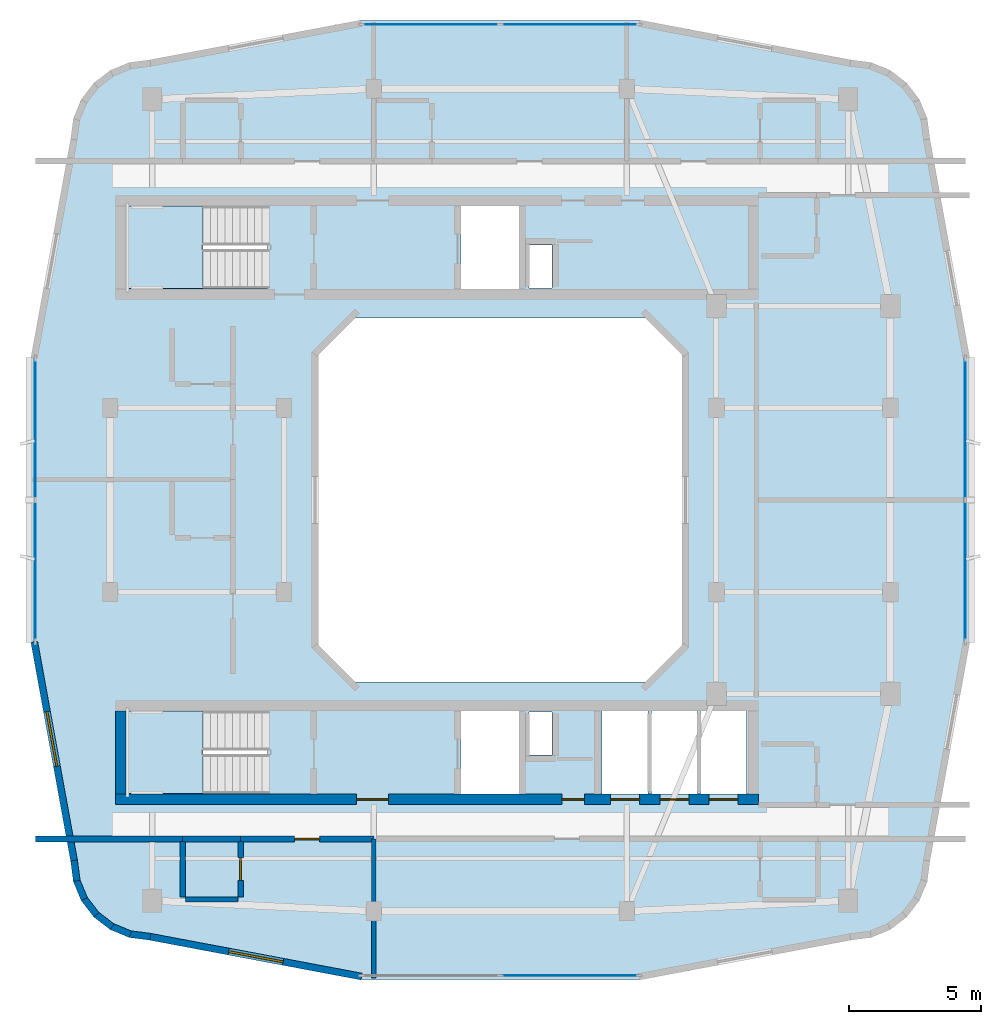
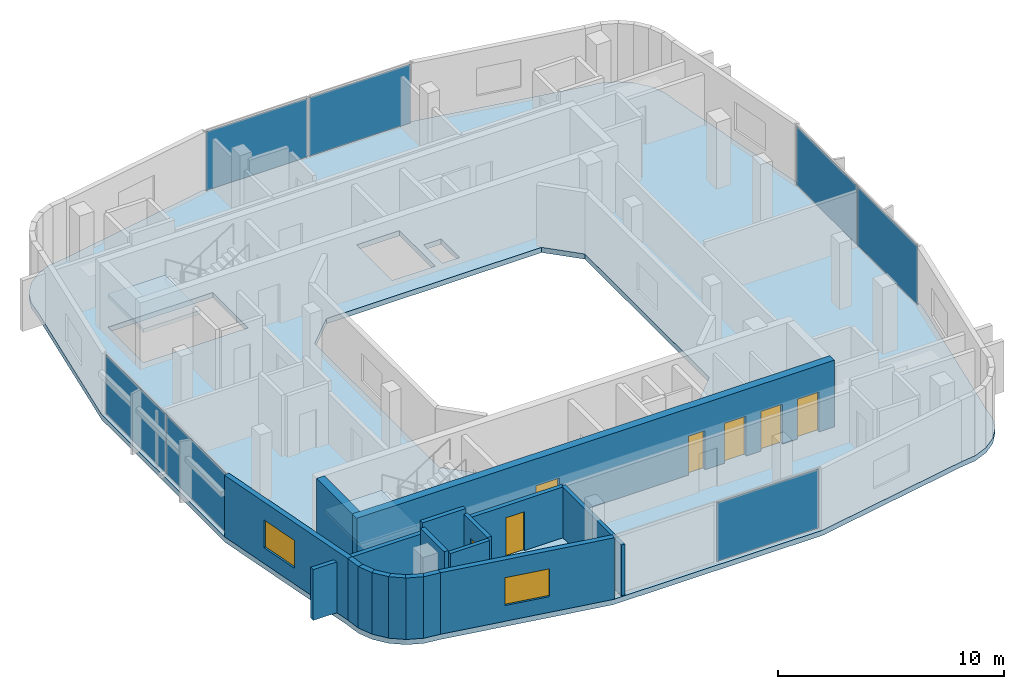
# One storey, part 4 of 10: 17 walls, 7 doors, 7 plates, 3 slabs, 2 windows, 9 openings, 6 elements without a shape of their own.
"""IFC4 building model written with IfcOpenShell, lengths in metres."""

from ifc_helpers import new_model, si_unit, derived_unit, direction, frame, frame_2d, origin, origin_2d, place, context, subcontext, project, spatial, polyline, rectangle, outline, extrude, material, layer, layer_set, type_object, element, fill, aggregate, save


model = new_model("IFC4")

# Units and contexts
model_context = context("Model", 3, precision=1e-05, world=origin(), true_north=direction((0.0, 1.0)))
body_context = subcontext(model_context, "Body", "Model", "MODEL_VIEW")
ifc_project = project(units=[si_unit("LENGTHUNIT", "METRE"), si_unit("AREAUNIT", "SQUARE_METRE"), si_unit("VOLUMEUNIT", "CUBIC_METRE"), si_unit("PLANEANGLEUNIT", "RADIAN"), si_unit("MASSUNIT", "GRAM", prefix="KILO"), derived_unit("THERMALTRANSMITTANCEUNIT", [(si_unit("POWERUNIT", "WATT"), 1), (si_unit("LENGTHUNIT", "METRE"), -2), (si_unit("THERMODYNAMICTEMPERATUREUNIT", "KELVIN"), -1)])], contexts=[model_context])

# Site, building, storey
site_placement = place(None, origin())
site = spatial("IfcSite", under=ifc_project, at=site_placement, CompositionType="ELEMENT")
building_placement = place(site_placement, origin())
building = spatial("IfcBuilding", under=site, at=building_placement, Name="Kivonza Crest Hotel", CompositionType="ELEMENT")
storey_placement = place(building_placement, frame((0.0, 0.0, 250.39990234375)))
storey = spatial("IfcBuildingStorey", under=building, at=storey_placement, Name="L68", CompositionType="ELEMENT", Elevation=250.39990234375)

# Curtain wall, plate
ifc_material_1 = material(Name="Anodised bronze aluminium and low-E double glazing", Category="aluminium")
ifc_layer_1 = layer(ifc_material_1, 0.179931640625)
ifc_layer_set_1 = layer_set([ifc_layer_1], Name="Anodised bronze aluminium and low-E double glazing")
curtain_wall_type = type_object("IfcCurtainWallType", Name="CW-SYS-3", PredefinedType="NOTDEFINED", material=ifc_layer_set_1)
curtain_wall_1_placement = place(storey_placement, origin())
curtain_wall_1 = element("IfcCurtainWall", 1, at=curtain_wall_1_placement, inside=storey, type_object=curtain_wall_type, Name="L68 unitised curtain wall CW-T1-L68-08", PredefinedType="NOTDEFINED")
ifc_material_2 = material(Name="Acoustic triple-laminated low-E glazing", Category="glass")
ifc_layer_2 = layer(ifc_material_2, 0.035888671875)
ifc_layer_set_2 = layer_set([ifc_layer_2], Name="Acoustic triple-laminated low-E glazing")
plate_type = type_object("IfcPlateType", Name="CW-PNL-36", PredefinedType="CURTAIN_PANEL", material=ifc_layer_set_2)
plate_1_placement = place(storey_placement, frame((23.63134765625, 6.9599609375, 0.0751953125), z_axis=(0.0, 0.0, 1.0), x_axis=(1.0, 0.0, 0.0)))
plate_1 = element("IfcPlate", 2, at=plate_1_placement, type_object=plate_type, Name="CW-3 panel 2.1", PredefinedType="CURTAIN_PANEL", context=body_context, shape_type="SweptSolid", body=[
    extrude(rectangle(XDim=5.1875, YDim=0.035888671875, at=origin_2d()), origin(), (0.0, 0.0, 1.0), 3.169921875),
])
aggregate(curtain_wall_1, [plate_1])

# Curtain wall, plates
curtain_wall_2_placement = place(storey_placement, origin())
curtain_wall_2 = element("IfcCurtainWall", 3, at=curtain_wall_2_placement, inside=storey, type_object=curtain_wall_type, Name="L68 unitised curtain wall CW-T1-L68-17", PredefinedType="NOTDEFINED")
plate_2_placement = place(storey_placement, frame((38.639892578125, 22.308837890625, 0.0751953125), z_axis=(0.0, 0.0, 1.0), x_axis=(0.0, 1.0, 0.0)))
plate_2 = element("IfcPlate", 4, at=plate_2_placement, type_object=plate_type, Name="CW-3 panel 1.1", PredefinedType="CURTAIN_PANEL", context=body_context, shape_type="SweptSolid", body=[
    extrude(rectangle(XDim=5.3076171875, YDim=0.035888671875, at=origin_2d()), origin(), (0.0, 0.0, 1.0), 3.169921875),
])
plate_3_placement = place(storey_placement, frame((38.639892578125, 27.691162109375, 0.0751953125), z_axis=(0.0, 0.0, 1.0), x_axis=(0.0, 1.0, 0.0)))
plate_3 = element("IfcPlate", 5, at=plate_3_placement, type_object=plate_type, Name="CW-3 panel 2.1", PredefinedType="CURTAIN_PANEL", context=body_context, shape_type="SweptSolid", body=[
    extrude(rectangle(XDim=5.3076171875, YDim=0.035888671875, at=origin_2d()), origin(), (0.0, 0.0, 1.0), 3.169921875),
])
aggregate(curtain_wall_2, [plate_2, plate_3])

curtain_wall_3_placement = place(storey_placement, origin())
curtain_wall_3 = element("IfcCurtainWall", 6, at=curtain_wall_3_placement, inside=storey, type_object=curtain_wall_type, Name="L68 unitised curtain wall CW-T1-L68-26", PredefinedType="NOTDEFINED")
plate_4_placement = place(storey_placement, frame((23.63134765625, 43.0400390625, 0.0751953125), z_axis=(0.0, 0.0, 1.0), x_axis=(-1.0, 0.0, 0.0)))
plate_4 = element("IfcPlate", 7, at=plate_4_placement, type_object=plate_type, Name="CW-3 panel 1.1", PredefinedType="CURTAIN_PANEL", context=body_context, shape_type="SweptSolid", body=[
    extrude(rectangle(XDim=5.1875, YDim=0.035888671875, at=origin_2d()), origin(), (0.0, 0.0, 1.0), 3.169921875),
])
plate_5_placement = place(storey_placement, frame((18.36865234375, 43.0400390625, 0.0751953125), z_axis=(0.0, 0.0, 1.0), x_axis=(-1.0, 0.0, 0.0)))
plate_5 = element("IfcPlate", 8, at=plate_5_placement, type_object=plate_type, Name="CW-3 panel 2.1", PredefinedType="CURTAIN_PANEL", context=body_context, shape_type="SweptSolid", body=[
    extrude(rectangle(XDim=5.1875, YDim=0.035888671875, at=origin_2d()), origin(), (0.0, 0.0, 1.0), 3.169921875),
])
aggregate(curtain_wall_3, [plate_4, plate_5])

curtain_wall_4_placement = place(storey_placement, origin())
curtain_wall_4 = element("IfcCurtainWall", 9, at=curtain_wall_4_placement, inside=storey, type_object=curtain_wall_type, Name="L68 unitised curtain wall CW-T1-L68-35", PredefinedType="NOTDEFINED")
plate_6_placement = place(storey_placement, frame((3.360107421875, 27.691162109375, 0.0751953125), z_axis=(0.0, 0.0, 1.0), x_axis=(0.0, -1.0, 0.0)))
plate_6 = element("IfcPlate", 10, at=plate_6_placement, type_object=plate_type, Name="CW-3 panel 1.1", PredefinedType="CURTAIN_PANEL", context=body_context, shape_type="SweptSolid", body=[
    extrude(rectangle(XDim=5.3076171875, YDim=0.035888671875, at=origin_2d()), origin(), (0.0, 0.0, 1.0), 3.169921875),
])
plate_7_placement = place(storey_placement, frame((3.360107421875, 22.308837890625, 0.0751953125), z_axis=(0.0, 0.0, 1.0), x_axis=(0.0, -1.0, 0.0)))
plate_7 = element("IfcPlate", 11, at=plate_7_placement, type_object=plate_type, Name="CW-3 panel 2.1", PredefinedType="CURTAIN_PANEL", context=body_context, shape_type="SweptSolid", body=[
    extrude(rectangle(XDim=5.3076171875, YDim=0.035888671875, at=origin_2d()), origin(), (0.0, 0.0, 1.0), 3.169921875),
])
aggregate(curtain_wall_4, [plate_6, plate_7])

# Slab
ifc_material_3 = material(Name="Concrete C40/50", Category="concrete")
ifc_layer_3 = layer(ifc_material_3, 0.280029296875)
ifc_layer_set_3 = layer_set([ifc_layer_3], Name="Concrete C40/50")
slab_type_1 = type_object("IfcSlabType", Name="SL-HTL-280", PredefinedType="FLOOR", material=ifc_layer_set_3)
slab_1_placement = place(storey_placement, frame((0.0, 0.0, -0.27978515625)))
element("IfcSlab", 12, at=slab_1_placement, inside=storey, type_object=slab_type_1, Name="Tower T1 L68 floor slab", PredefinedType="FLOOR", context=body_context, shape_type="SweptSolid", body=[
    extrude(outline(polyline([(4.699951171875, 11.300048828125), (4.802001953125, 10.52392578125), (5.10205078125, 9.800048828125), (5.5791015625, 9.178955078125), (6.199951171875, 8.701904296875), (6.924072265625, 8.402099609375), (7.699951171875, 8.300048828125), (15.659912109375, 6.800048828125), (26.340087890625, 6.800048828125), (34.300048828125, 8.300048828125), (35.075927734375, 8.402099609375), (35.800048828125, 8.701904296875), (36.4208984375, 9.178955078125), (36.89794921875, 9.800048828125), (37.197998046875, 10.52392578125), (37.300048828125, 11.300048828125), (38.800048828125, 19.5400390625), (38.800048828125, 30.4599609375), (37.300048828125, 38.699951171875), (37.197998046875, 39.47607421875), (36.89794921875, 40.199951171875), (36.4208984375, 40.821044921875), (35.800048828125, 41.298095703125), (35.075927734375, 41.597900390625), (34.300048828125, 41.699951171875), (26.340087890625, 43.199951171875), (15.659912109375, 43.199951171875), (7.699951171875, 41.699951171875), (6.924072265625, 41.597900390625), (6.199951171875, 41.298095703125), (5.5791015625, 40.821044921875), (5.10205078125, 40.199951171875), (4.802001953125, 39.47607421875), (4.699951171875, 38.699951171875), (3.199951171875, 30.4599609375), (3.199951171875, 19.5400390625), (4.699951171875, 11.300048828125)]), holes=[polyline([(15.5, 18.10009765625), (26.5, 18.10009765625), (27.89990234375, 19.5), (27.89990234375, 30.5), (26.5, 31.89990234375), (15.5, 31.89990234375), (14.10009765625, 30.5), (14.10009765625, 19.5), (15.5, 18.10009765625)]), polyline([(6.800048828125, 33.02001953125), (12.159912109375, 33.02001953125), (12.159912109375, 36.159912109375), (6.800048828125, 36.159912109375), (6.800048828125, 33.02001953125)]), polyline([(6.800048828125, 13.860107421875), (12.159912109375, 13.860107421875), (12.159912109375, 17.0), (6.800048828125, 17.0), (6.800048828125, 13.860107421875)]), polyline([(22.080078125, 33.0400390625), (22.969970703125, 33.0400390625), (22.969970703125, 34.679931640625), (22.080078125, 34.679931640625), (22.080078125, 33.0400390625)]), polyline([(22.080078125, 15.320068359375), (22.969970703125, 15.320068359375), (22.969970703125, 16.9599609375), (22.080078125, 16.9599609375), (22.080078125, 15.320068359375)]), polyline([(19.5, 33.0), (21.699951171875, 33.0), (21.699951171875, 36.159912109375), (19.5, 36.159912109375), (19.5, 33.0)]), polyline([(19.5, 13.840087890625), (21.699951171875, 13.840087890625), (21.699951171875, 17.0), (19.5, 17.0), (19.5, 13.840087890625)]), polyline([(24.860107421875, 13.840087890625), (26.60693359375, 13.840087890625), (26.60693359375, 17.0), (24.860107421875, 17.0), (24.860107421875, 13.840087890625)]), polyline([(26.72705078125, 13.840087890625), (28.472900390625, 13.840087890625), (28.472900390625, 17.0), (26.72705078125, 17.0), (26.72705078125, 13.840087890625)]), polyline([(28.593017578125, 13.840087890625), (30.340087890625, 13.840087890625), (30.340087890625, 17.0), (28.593017578125, 17.0), (28.593017578125, 13.840087890625)])]), origin(), (0.0, 0.0, 1.0), 0.27978515625),
])

# Stair, slab
stair_type = type_object("IfcStairType", Name="ST-DL-20R", PredefinedType="HALF_TURN_STAIR", material=ifc_material_3)
stair_1_placement = place(storey_placement, origin())
stair_1 = element("IfcStair", 13, at=stair_1_placement, inside=storey, type_object=stair_type, Name="L68 Protected Exit Stair ST-T1-N", PredefinedType="HALF_TURN_STAIR")
ifc_layer_4 = layer(ifc_material_3, 0.199951171875)
ifc_layer_set_4 = layer_set([ifc_layer_4], Name="Concrete C40/50")
slab_type_2 = type_object("IfcSlabType", Name="SL-LAND-200", PredefinedType="LANDING", material=ifc_layer_set_4)
slab_2_placement = place(storey_placement, frame((0.0, 0.0, 1.60009765625)))
slab_2 = element("IfcSlab", 14, at=slab_2_placement, type_object=slab_type_2, Name="ST-T1-N landing 1", PredefinedType="LANDING", context=body_context, shape_type="SweptSolid", body=[
    extrude(outline(polyline([(9.719970703125, 36.159912109375), (6.800048828125, 36.159912109375), (6.800048828125, 33.02001953125), (9.719970703125, 33.02001953125), (9.719970703125, 36.159912109375)])), origin(), (0.0, 0.0, 1.0), 0.199951171875),
])
aggregate(stair_1, [slab_2])

stair_2_placement = place(storey_placement, origin())
stair_2 = element("IfcStair", 15, at=stair_2_placement, inside=storey, type_object=stair_type, Name="L68 Protected Exit Stair ST-T1-S", PredefinedType="HALF_TURN_STAIR")
slab_3_placement = place(storey_placement, frame((0.0, 0.0, 1.60009765625)))
slab_3 = element("IfcSlab", 16, at=slab_3_placement, type_object=slab_type_2, Name="ST-T1-S landing 1", PredefinedType="LANDING", context=body_context, shape_type="SweptSolid", body=[
    extrude(outline(polyline([(9.719970703125, 17.0), (6.800048828125, 17.0), (6.800048828125, 13.860107421875), (9.719970703125, 13.860107421875), (9.719970703125, 17.0)])), origin(), (0.0, 0.0, 1.0), 0.199951171875),
])
aggregate(stair_2, [slab_3])

# Walls
ifc_material_4 = material(Name="High-density acoustic masonry inter-tenancy wall", Category="masonry")
ifc_layer_5 = layer(ifc_material_4, 0.179931640625)
ifc_layer_set_5 = layer_set([ifc_layer_5], Name="High-density acoustic masonry inter-tenancy wall")
wall_type_1 = type_object("IfcWallType", Name="WL-ACOU-180", PredefinedType="SOLIDWALL", material=ifc_layer_set_5)
wall_1_placement = place(storey_placement, frame((16.199951171875, 6.860107421875, 0.0), z_axis=(0.0, 0.0, 1.0), x_axis=(0.0, 1.0, 0.0)))
element("IfcWall", 17, at=wall_1_placement, inside=storey, type_object=wall_type_1, Name="L68 interior partition WA-L68-T1S-DIV1", PredefinedType="SOLIDWALL", context=body_context, shape_type="SweptSolid", body=[
    extrude(rectangle(XDim=5.27978515625, YDim=0.179931640625, at=frame_2d((2.639892578125, 0.0))), origin(), (0.0, 0.0, 1.0), 2.7451171875),
])
ifc_material_5 = material(Name="Autoclaved aerated concrete blockwork", Category="masonry")
ifc_layer_6 = layer(ifc_material_5, 0.219970703125)
ifc_layer_set_6 = layer_set([ifc_layer_6], Name="Autoclaved aerated concrete blockwork")
wall_type_2 = type_object("IfcWallType", Name="WL-ACOU-220", PredefinedType="SOLIDWALL", material=ifc_layer_set_6)
wall_2_placement = place(storey_placement, frame((3.360107421875, 12.139892578125, 0.0), z_axis=(0.0, 0.0, 1.0), x_axis=(1.0, 0.0, 0.0)))
element("IfcWall", 18, at=wall_2_placement, inside=storey, type_object=wall_type_2, Name="L68 interior partition WA-L68-S04-XCORR", PredefinedType="SOLIDWALL", context=body_context, shape_type="SweptSolid", body=[
    extrude(rectangle(XDim=5.58984375, YDim=0.219970703125, at=frame_2d((2.794921875, 0.0))), origin(), (0.0, 0.0, 1.0), 2.7451171875),
])
wall_3_placement = place(storey_placement, frame((8.949951171875, 12.139892578125, 0.0), z_axis=(0.0, 0.0, 1.0), x_axis=(1.0, 0.0, 0.0)))
element("IfcWall", 19, at=wall_3_placement, inside=storey, type_object=wall_type_2, Name="L68 interior partition WA-L68-S04-BCORR", PredefinedType="SOLIDWALL", context=body_context, shape_type="SweptSolid", body=[
    extrude(rectangle(XDim=2.199951171875, YDim=0.219970703125, at=frame_2d((1.10009765625, 0.0))), origin(), (0.0, 0.0, 1.0), 3.320068359375),
])

# Wall, opening, door
wall_4_placement = place(storey_placement, frame((11.14990234375, 12.139892578125, 0.0), z_axis=(0.0, 0.0, 1.0), x_axis=(1.0, 0.0, 0.0)))
wall_4 = element("IfcWall", 20, at=wall_4_placement, inside=storey, type_object=wall_type_2, Name="L68 interior partition WA-L68-S04-MCORR", PredefinedType="SOLIDWALL", context=body_context, shape_type="SweptSolid", body=[
    extrude(rectangle(XDim=5.050048828125, YDim=0.219970703125, at=frame_2d((2.52490234375, 0.0))), origin(), (0.0, 0.0, 1.0), 2.7451171875),
])
opening_1_placement = place(wall_4_placement, frame((2.050048828125, 0.0, 0.0)))
opening_1 = element("IfcOpeningElement", 21, at=opening_1_placement, cuts=wall_4, Name="Opening DU-60", PredefinedType="OPENING", context=body_context, shape_type="SweptSolid", body=[
    extrude(rectangle(XDim=0.949951171875, YDim=2.10009765625, at=frame_2d((0.47509765625, 1.050048828125))), frame((0.0, 0.1201171875, 0.0), z_axis=(0.0, -1.0, 0.0), x_axis=(1.0, 0.0, 0.0)), (0.0, 0.0, 1.0), 0.239990234375),
])
ifc_material_6 = material(Name="Hardwood timber oak", Category="wood")
door_type_1 = type_object("IfcDoorType", Name="DR-UNIT-950", OperationType="NOTDEFINED", PredefinedType="DOOR", material=ifc_material_6)
door_1_placement = place(opening_1_placement, frame((0.949951171875, 0.0, 0.0), z_axis=(0.0, 0.0, 1.0), x_axis=(-1.0, 0.0, 0.0)))
door_1 = element("IfcDoor", 22, at=door_1_placement, inside=storey, type_object=door_type_1, Name="L68 S04 guest unit entrance fire door", OperationType="SINGLE_SWING_RIGHT", OverallHeight=2.10009765625, OverallWidth=0.949951171875, PredefinedType="DOOR", context=body_context, shape_type="SweptSolid", body=[
    extrude(rectangle(XDim=0.949951171875, YDim=2.10009765625, at=frame_2d((0.47509765625, 1.050048828125))), frame((0.0, 0.02490234375, 0.0), z_axis=(0.0, -1.0, 0.0), x_axis=(1.0, 0.0, 0.0)), (0.0, 0.0, 1.0), 0.050048828125),
])
fill(opening_1, door_1)

# Wall, openings, doors
ifc_material_7 = material(Name="Concrete C50/60", Category="concrete")
ifc_layer_7 = layer(ifc_material_7, 0.39990234375)
ifc_layer_set_7 = layer_set([ifc_layer_7], Name="Concrete C50/60")
wall_type_3 = type_object("IfcWallType", Name="WL-CORE-400", PredefinedType="SHEAR", material=ifc_layer_set_7)
wall_5_placement = place(storey_placement, frame((6.39990234375, 13.639892578125, 0.0), z_axis=(0.0, 0.0, 1.0), x_axis=(1.0, 0.0, 0.0)))
wall_5 = element("IfcWall", 23, at=wall_5_placement, inside=storey, type_object=wall_type_3, Name="Core wall T1-S South L68", PredefinedType="SHEAR", context=body_context, shape_type="SweptSolid", body=[
    extrude(rectangle(XDim=24.400146484375, YDim=0.39990234375, at=frame_2d((12.2001953125, 0.0))), origin(), (0.0, 0.0, 1.0), 3.60009765625),
])
opening_2_placement = place(wall_5_placement, frame((9.14990234375, 0.0, 0.0)))
opening_2 = element("IfcOpeningElement", 24, at=opening_2_placement, cuts=wall_5, Name="Opening DF-60", PredefinedType="OPENING", context=body_context, shape_type="SweptSolid", body=[
    extrude(rectangle(XDim=1.199951171875, YDim=2.14990234375, at=frame_2d((0.60009765625, 1.074951171875))), frame((0.0, 0.2099609375, 0.0), z_axis=(0.0, -1.0, 0.0), x_axis=(1.0, 0.0, 0.0)), (0.0, 0.0, 1.0), 0.419921875),
])
opening_3_placement = place(wall_5_placement, frame((16.93994140625, 0.0, 0.0)))
opening_3 = element("IfcOpeningElement", 25, at=opening_3_placement, cuts=wall_5, Name="Opening DF-60R", PredefinedType="OPENING", context=body_context, shape_type="SweptSolid", body=[
    extrude(rectangle(XDim=0.85009765625, YDim=2.10009765625, at=frame_2d((0.425048828125, 1.050048828125))), frame((0.0, 0.2099609375, 0.0), z_axis=(0.0, -1.0, 0.0), x_axis=(1.0, 0.0, 0.0)), (0.0, 0.0, 1.0), 0.419921875),
])
opening_4_placement = place(wall_5_placement, frame((18.782958984375, 0.0, 0.0)))
opening_4 = element("IfcOpeningElement", 26, at=opening_4_placement, cuts=wall_5, Name="Opening LD-120", PredefinedType="OPENING", context=body_context, shape_type="SweptSolid", body=[
    extrude(rectangle(XDim=1.10009765625, YDim=2.14990234375, at=frame_2d((0.550048828125, 1.074951171875))), frame((0.0, 0.2099609375, 0.0), z_axis=(0.0, -1.0, 0.0), x_axis=(1.0, 0.0, 0.0)), (0.0, 0.0, 1.0), 0.419921875),
])
opening_5_placement = place(wall_5_placement, frame((20.64990234375, 0.0, 0.0)))
opening_5 = element("IfcOpeningElement", 27, at=opening_5_placement, cuts=wall_5, Name="Opening LD-120", PredefinedType="OPENING", context=body_context, shape_type="SweptSolid", body=[
    extrude(rectangle(XDim=1.10009765625, YDim=2.14990234375, at=frame_2d((0.550048828125, 1.074951171875))), frame((0.0, 0.2099609375, 0.0), z_axis=(0.0, -1.0, 0.0), x_axis=(1.0, 0.0, 0.0)), (0.0, 0.0, 1.0), 0.419921875),
])
opening_6_placement = place(wall_5_placement, frame((22.51708984375, 0.0, 0.0)))
opening_6 = element("IfcOpeningElement", 28, at=opening_6_placement, cuts=wall_5, Name="Opening LD-120", PredefinedType="OPENING", context=body_context, shape_type="SweptSolid", body=[
    extrude(rectangle(XDim=1.10009765625, YDim=2.14990234375, at=frame_2d((0.550048828125, 1.074951171875))), frame((0.0, 0.2099609375, 0.0), z_axis=(0.0, -1.0, 0.0), x_axis=(1.0, 0.0, 0.0)), (0.0, 0.0, 1.0), 0.419921875),
])
door_type_2 = type_object("IfcDoorType", Name="DR-FD60-1200", OperationType="NOTDEFINED", PredefinedType="DOOR", material=ifc_material_6)
door_2_placement = place(opening_2_placement, frame((1.199951171875, 0.0, 0.0), z_axis=(0.0, 0.0, 1.0), x_axis=(-1.0, 0.0, 0.0)))
door_2 = element("IfcDoor", 29, at=door_2_placement, inside=storey, type_object=door_type_2, Name="L68 T1-S firefighting lobby fire door", OperationType="SINGLE_SWING_LEFT", OverallHeight=2.14990234375, OverallWidth=1.199951171875, PredefinedType="DOOR", context=body_context, shape_type="SweptSolid", body=[
    extrude(rectangle(XDim=1.199951171875, YDim=2.14990234375, at=frame_2d((0.60009765625, 1.074951171875))), frame((0.0, 0.02490234375, 0.0), z_axis=(0.0, -1.0, 0.0), x_axis=(1.0, 0.0, 0.0)), (0.0, 0.0, 1.0), 0.050048828125),
])
fill(opening_2, door_2)
door_type_3 = type_object("IfcDoorType", Name="DR-FD60-850", OperationType="NOTDEFINED", PredefinedType="DOOR", material=ifc_material_6)
door_3_placement = place(opening_3_placement, frame((0.85009765625, 0.0, 0.0), z_axis=(0.0, 0.0, 1.0), x_axis=(-1.0, 0.0, 0.0)))
door_3 = element("IfcDoor", 30, at=door_3_placement, inside=storey, type_object=door_type_3, Name="L68 T1-S core room door", OperationType="SINGLE_SWING_RIGHT", OverallHeight=2.10009765625, OverallWidth=0.85009765625, PredefinedType="DOOR", context=body_context, shape_type="SweptSolid", body=[
    extrude(rectangle(XDim=0.85009765625, YDim=2.10009765625, at=frame_2d((0.425048828125, 1.050048828125))), frame((0.0, 0.02490234375, 0.0), z_axis=(0.0, -1.0, 0.0), x_axis=(1.0, 0.0, 0.0)), (0.0, 0.0, 1.0), 0.050048828125),
])
fill(opening_3, door_3)
ifc_material_8 = material(Name="Stainless steel", Category="steel")
door_type_4 = type_object("IfcDoorType", Name="DR-LD120-1100", OperationType="NOTDEFINED", PredefinedType="DOOR", material=ifc_material_8)
door_4_placement = place(opening_4_placement, frame((1.10009765625, 0.0, 0.0), z_axis=(0.0, 0.0, 1.0), x_axis=(-1.0, 0.0, 0.0)))
door_4 = element("IfcDoor", 31, at=door_4_placement, inside=storey, type_object=door_type_4, Name="L68 PL-T1-H1 passenger lift sliding landing door", OperationType="DOUBLE_DOOR_SLIDING", OverallHeight=2.14990234375, OverallWidth=1.10009765625, PredefinedType="DOOR", context=body_context, shape_type="SweptSolid", body=[
    extrude(rectangle(XDim=1.10009765625, YDim=2.14990234375, at=frame_2d((0.550048828125, 1.074951171875))), frame((0.0, 0.02490234375, 0.0), z_axis=(0.0, -1.0, 0.0), x_axis=(1.0, 0.0, 0.0)), (0.0, 0.0, 1.0), 0.050048828125),
])
fill(opening_4, door_4)
door_5_placement = place(opening_5_placement, frame((1.10009765625, 0.0, 0.0), z_axis=(0.0, 0.0, 1.0), x_axis=(-1.0, 0.0, 0.0)))
door_5 = element("IfcDoor", 32, at=door_5_placement, inside=storey, type_object=door_type_4, Name="L68 PL-T1-H2 passenger lift sliding landing door", OperationType="DOUBLE_DOOR_SLIDING", OverallHeight=2.14990234375, OverallWidth=1.10009765625, PredefinedType="DOOR", context=body_context, shape_type="SweptSolid", body=[
    extrude(rectangle(XDim=1.10009765625, YDim=2.14990234375, at=frame_2d((0.550048828125, 1.074951171875))), frame((0.0, 0.02490234375, 0.0), z_axis=(0.0, -1.0, 0.0), x_axis=(1.0, 0.0, 0.0)), (0.0, 0.0, 1.0), 0.050048828125),
])
fill(opening_5, door_5)
door_6_placement = place(opening_6_placement, frame((1.10009765625, 0.0, 0.0), z_axis=(0.0, 0.0, 1.0), x_axis=(-1.0, 0.0, 0.0)))
door_6 = element("IfcDoor", 33, at=door_6_placement, inside=storey, type_object=door_type_4, Name="L68 PL-T1-H3 passenger lift sliding landing door", OperationType="DOUBLE_DOOR_SLIDING", OverallHeight=2.14990234375, OverallWidth=1.10009765625, PredefinedType="DOOR", context=body_context, shape_type="SweptSolid", body=[
    extrude(rectangle(XDim=1.10009765625, YDim=2.14990234375, at=frame_2d((0.550048828125, 1.074951171875))), frame((0.0, 0.02490234375, 0.0), z_axis=(0.0, -1.0, 0.0), x_axis=(1.0, 0.0, 0.0)), (0.0, 0.0, 1.0), 0.050048828125),
])
fill(opening_6, door_6)

# Walls
wall_6_placement = place(storey_placement, frame((6.60009765625, 13.840087890625, 0.0), z_axis=(0.0, 0.0, 1.0), x_axis=(0.0, 1.0, 0.0)))
element("IfcWall", 34, at=wall_6_placement, inside=storey, type_object=wall_type_3, Name="Core wall T1-S West L68", PredefinedType="SHEAR", context=body_context, shape_type="SweptSolid", body=[
    extrude(rectangle(XDim=3.159912109375, YDim=0.39990234375, at=frame_2d((1.580078125, 0.0))), origin(), (0.0, 0.0, 1.0), 3.60009765625),
])
ifc_material_9 = material(Name="Precast concrete C40/50", Category="concrete")
ifc_layer_8 = layer(ifc_material_9, 0.260009765625)
ifc_layer_set_8 = layer_set([ifc_layer_8], Name="Precast concrete C40/50")
wall_type_4 = type_object("IfcWallType", Name="WL-EXT-260", PredefinedType="STANDARD", material=ifc_layer_set_8)
wall_7_placement = place(storey_placement, frame((4.827880859375, 11.324951171875, 0.0), z_axis=(0.0, 0.0, 1.0), x_axis=(0.130729574419, -0.991418064377, 0.0)))
element("IfcWall", 35, at=wall_7_placement, inside=storey, type_object=wall_type_4, Name="L68 T1 exterior insulated wall 1", PredefinedType="STANDARD", context=body_context, shape_type="SweptSolid", body=[
    extrude(rectangle(XDim=0.780517578125, YDim=0.260009765625, at=frame_2d((0.39013671875, 0.0))), origin(), (0.0, 0.0, 1.0), 3.320068359375),
])
wall_8_placement = place(storey_placement, frame((4.912109375, 10.596923828125, 0.0), z_axis=(0.0, 0.0, 1.0), x_axis=(0.382900540965, -0.923789573295, 0.0)))
element("IfcWall", 36, at=wall_8_placement, inside=storey, type_object=wall_type_4, Name="L68 T1 exterior insulated wall 2", PredefinedType="STANDARD", context=body_context, shape_type="SweptSolid", body=[
    extrude(rectangle(XDim=0.798828125, YDim=0.260009765625, at=frame_2d((0.3994140625, 0.0))), origin(), (0.0, 0.0, 1.0), 3.320068359375),
])
wall_9_placement = place(storey_placement, frame((5.18994140625, 9.89892578125, 0.0), z_axis=(0.0, 0.0, 1.0), x_axis=(0.60916352983, -0.793044635519, 0.0)))
element("IfcWall", 37, at=wall_9_placement, inside=storey, type_object=wall_type_4, Name="L68 T1 exterior insulated wall 3", PredefinedType="STANDARD", context=body_context, shape_type="SweptSolid", body=[
    extrude(rectangle(XDim=0.7978515625, YDim=0.260009765625, at=frame_2d((0.39892578125, 0.0))), origin(), (0.0, 0.0, 1.0), 3.320068359375),
])
wall_10_placement = place(storey_placement, frame((5.637939453125, 9.297119140625, 0.0), z_axis=(0.0, 0.0, 1.0), x_axis=(0.793158129381, -0.609015748398, 0.0)))
element("IfcWall", 38, at=wall_10_placement, inside=storey, type_object=wall_type_4, Name="L68 T1 exterior insulated wall 4", PredefinedType="STANDARD", context=body_context, shape_type="SweptSolid", body=[
    extrude(rectangle(XDim=0.798095703125, YDim=0.260009765625, at=frame_2d((0.39892578125, 0.0))), origin(), (0.0, 0.0, 1.0), 3.320068359375),
])
wall_11_placement = place(storey_placement, frame((6.22705078125, 8.83203125, 0.0), z_axis=(0.0, 0.0, 1.0), x_axis=(0.923681457047, -0.383161279238, 0.0)))
element("IfcWall", 39, at=wall_11_placement, inside=storey, type_object=wall_type_4, Name="L68 T1 exterior insulated wall 5", PredefinedType="STANDARD", context=body_context, shape_type="SweptSolid", body=[
    extrude(rectangle(XDim=0.799072265625, YDim=0.260009765625, at=frame_2d((0.3994140625, 0.0))), origin(), (0.0, 0.0, 1.0), 3.320068359375),
])
wall_12_placement = place(storey_placement, frame((6.916015625, 8.533935546875, 0.0), z_axis=(0.0, 0.0, 1.0), x_axis=(0.99153354416, -0.129850802102, 0.0)))
element("IfcWall", 40, at=wall_12_placement, inside=storey, type_object=wall_type_4, Name="L68 T1 exterior insulated wall 6", PredefinedType="STANDARD", context=body_context, shape_type="SweptSolid", body=[
    extrude(rectangle(XDim=0.81591796875, YDim=0.260009765625, at=frame_2d((0.407958984375, 0.0))), origin(), (0.0, 0.0, 1.0), 3.320068359375),
])

# Wall, opening, window
wall_13_placement = place(storey_placement, frame((7.716064453125, 8.428955078125, 0.0), z_axis=(0.0, 0.0, 1.0), x_axis=(0.982719489139, -0.185101068789, 0.0)))
wall_13 = element("IfcWall", 41, at=wall_13_placement, inside=storey, type_object=wall_type_4, Name="L68 T1 exterior insulated wall 7", PredefinedType="STANDARD", context=body_context, shape_type="SweptSolid", body=[
    extrude(rectangle(XDim=8.1630859375, YDim=0.260009765625, at=frame_2d((4.08154296875, 0.0))), origin(), (0.0, 0.0, 1.0), 3.320068359375),
])
opening_7_placement = place(wall_13_placement, frame((3.031982421875, 0.0, 0.85009765625)))
opening_7 = element("IfcOpeningElement", 42, at=opening_7_placement, cuts=wall_13, Name="Opening WN-04", PredefinedType="OPENING", context=body_context, shape_type="SweptSolid", body=[
    extrude(rectangle(XDim=2.10009765625, YDim=1.5, at=frame_2d((1.050048828125, 0.75))), frame((0.0, 0.14013671875, 0.0), z_axis=(0.0, -1.0, 0.0), x_axis=(1.0, 0.0, 0.0)), (0.0, 0.0, 1.0), 0.280029296875),
])
ifc_material_10 = material(Name="Thermally broken bronze aluminium and low-E double glazing", Category="aluminium")
window_type = type_object("IfcWindowType", Name="WN-210x150", PartitioningType="DOUBLE_PANEL_VERTICAL", PredefinedType="WINDOW", material=ifc_material_10)
window_1_placement = place(opening_7_placement, origin())
window_1 = element("IfcWindow", 43, at=window_1_placement, inside=storey, type_object=window_type, Name="L68 T1 facade window 7", OverallHeight=1.5, OverallWidth=2.10009765625, PartitioningType="SINGLE_PANEL", PredefinedType="WINDOW", context=body_context, shape_type="SweptSolid", body=[
    extrude(rectangle(XDim=2.10009765625, YDim=1.5, at=frame_2d((1.050048828125, 0.75))), frame((0.0, 0.030029296875, 0.0), z_axis=(0.0, -1.0, 0.0), x_axis=(1.0, 0.0, 0.0)), (0.0, 0.0, 1.0), 0.06005859375),
])
fill(opening_7, window_1)

wall_14_placement = place(storey_placement, frame((3.318115234375, 19.616943359375, 0.0), z_axis=(0.0, 0.0, 1.0), x_axis=(0.179061111398, -0.983837953316, 0.0)))
wall_14 = element("IfcWall", 44, at=wall_14_placement, inside=storey, type_object=wall_type_4, Name="L68 T1 exterior insulated wall 36", PredefinedType="STANDARD", context=body_context, shape_type="SweptSolid", body=[
    extrude(rectangle(XDim=8.4384765625, YDim=0.260009765625, at=frame_2d((4.21923828125, 0.0))), origin(), (0.0, 0.0, 1.0), 3.320068359375),
])
opening_8_placement = place(wall_14_placement, frame((2.69091796875, 0.0, 0.85009765625)))
opening_8 = element("IfcOpeningElement", 45, at=opening_8_placement, cuts=wall_14, Name="Opening WN-04", PredefinedType="OPENING", context=body_context, shape_type="SweptSolid", body=[
    extrude(rectangle(XDim=2.10009765625, YDim=1.5, at=frame_2d((1.050048828125, 0.75))), frame((0.0, 0.14013671875, 0.0), z_axis=(0.0, -1.0, 0.0), x_axis=(1.0, 0.0, 0.0)), (0.0, 0.0, 1.0), 0.280029296875),
])
window_2_placement = place(opening_8_placement, origin())
window_2 = element("IfcWindow", 46, at=window_2_placement, inside=storey, type_object=window_type, Name="L68 T1 facade window 36", OverallHeight=1.5, OverallWidth=2.10009765625, PartitioningType="SINGLE_PANEL", PredefinedType="WINDOW", context=body_context, shape_type="SweptSolid", body=[
    extrude(rectangle(XDim=2.10009765625, YDim=1.5, at=frame_2d((1.050048828125, 0.75))), frame((0.0, 0.030029296875, 0.0), z_axis=(0.0, -1.0, 0.0), x_axis=(1.0, 0.0, 0.0)), (0.0, 0.0, 1.0), 0.06005859375),
])
fill(opening_8, window_2)

# Wall, opening, door
ifc_material_11 = material(Name="Moisture-resistant plumbing chase partition wall", Category="gypsum")
ifc_layer_9 = layer(ifc_material_11, 0.199951171875)
ifc_layer_set_9 = layer_set([ifc_layer_9], Name="Moisture-resistant plumbing chase partition wall")
wall_type_5 = type_object("IfcWallType", Name="WL-PLUMB-200", PredefinedType="PLUMBINGWALL", material=ifc_layer_set_9)
wall_15_placement = place(storey_placement, frame((11.14990234375, 9.93994140625, 0.0), z_axis=(0.0, 0.0, 1.0), x_axis=(0.0, 1.0, 0.0)))
wall_15 = element("IfcWall", 47, at=wall_15_placement, inside=storey, type_object=wall_type_5, Name="L68 interior partition WW-L68-S04-BV", PredefinedType="PLUMBINGWALL", context=body_context, shape_type="SweptSolid", body=[
    extrude(rectangle(XDim=2.10009765625, YDim=0.199951171875, at=frame_2d((1.050048828125, 0.0))), origin(), (0.0, 0.0, 1.0), 3.05517578125),
])
opening_9_placement = place(wall_15_placement, frame((0.625, 0.0, 0.0)))
opening_9 = element("IfcOpeningElement", 48, at=opening_9_placement, cuts=wall_15, Name="Opening DI-85", PredefinedType="OPENING", context=body_context, shape_type="SweptSolid", body=[
    extrude(rectangle(XDim=0.85009765625, YDim=2.10009765625, at=frame_2d((0.425048828125, 1.050048828125))), frame((0.0, 0.10986328125, 0.0), z_axis=(0.0, -1.0, 0.0), x_axis=(1.0, 0.0, 0.0)), (0.0, 0.0, 1.0), 0.219970703125),
])
door_type_5 = type_object("IfcDoorType", Name="DR-INT-850", OperationType="NOTDEFINED", PredefinedType="DOOR", material=ifc_material_6)
door_7_placement = place(opening_9_placement, frame((0.85009765625, 0.0, 0.0), z_axis=(0.0, 0.0, 1.0), x_axis=(-1.0, 0.0, 0.0)))
door_7 = element("IfcDoor", 49, at=door_7_placement, inside=storey, type_object=door_type_5, Name="L68 S04 en-suite bathroom door", OperationType="SINGLE_SWING_LEFT", OverallHeight=2.10009765625, OverallWidth=0.85009765625, PredefinedType="DOOR", context=body_context, shape_type="SweptSolid", body=[
    extrude(rectangle(XDim=0.85009765625, YDim=2.10009765625, at=frame_2d((0.425048828125, 1.050048828125))), frame((0.0, 0.02490234375, 0.0), z_axis=(0.0, -1.0, 0.0), x_axis=(1.0, 0.0, 0.0)), (0.0, 0.0, 1.0), 0.050048828125),
])
fill(opening_9, door_7)

# Walls
wall_16_placement = place(storey_placement, frame((9.050048828125, 9.840087890625, 0.0), z_axis=(0.0, 0.0, 1.0), x_axis=(1.0, 0.0, 0.0)))
element("IfcWall", 50, at=wall_16_placement, inside=storey, type_object=wall_type_5, Name="L68 interior partition WW-L68-S04-BH", PredefinedType="PLUMBINGWALL", context=body_context, shape_type="SweptSolid", body=[
    extrude(rectangle(XDim=2.0, YDim=0.199951171875, at=frame_2d((1.0, 0.0))), origin(), (0.0, 0.0, 1.0), 3.01513671875),
])
wall_17_placement = place(storey_placement, frame((8.949951171875, 9.93994140625, 0.0), z_axis=(0.0, 0.0, 1.0), x_axis=(0.0, 1.0, 0.0)))
element("IfcWall", 51, at=wall_17_placement, inside=storey, type_object=wall_type_5, Name="L68 interior partition WW-L68-S04-BVW", PredefinedType="PLUMBINGWALL", context=body_context, shape_type="SweptSolid", body=[
    extrude(rectangle(XDim=2.10009765625, YDim=0.199951171875, at=frame_2d((1.050048828125, 0.0))), origin(), (0.0, 0.0, 1.0), 3.05517578125),
])

save(model, "model.ifc")
